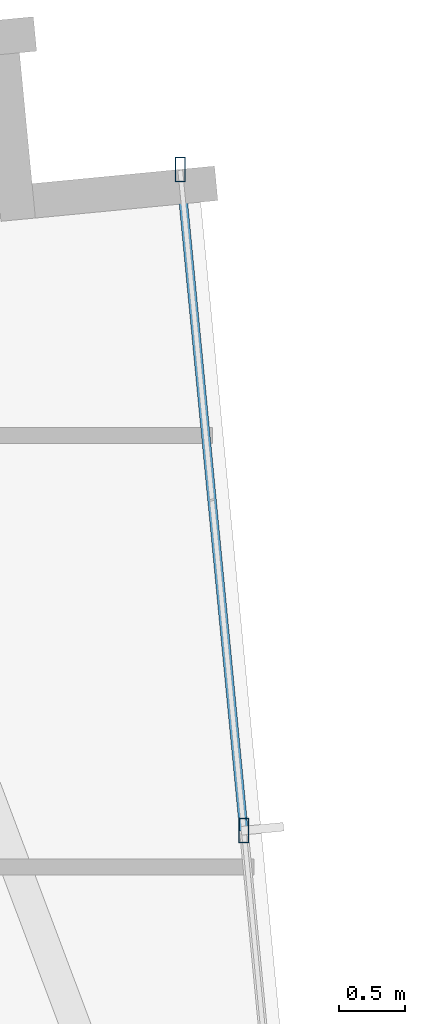
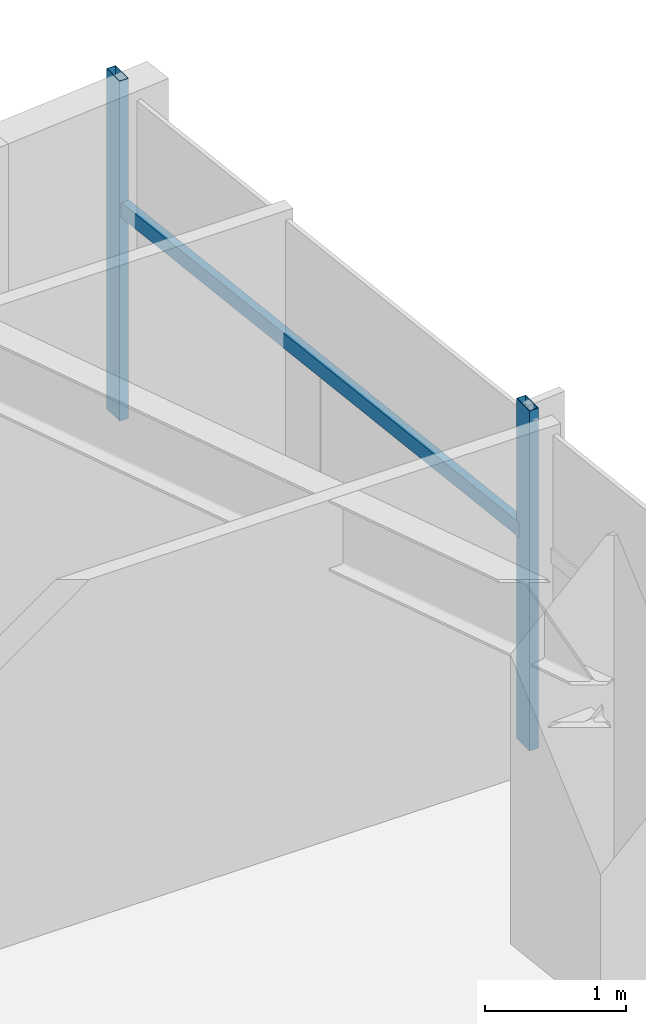
# One storey, part 17 of 25: 3 members, 1 element without a shape of its own.
"""IFC4 building model written with IfcOpenShell, lengths in metres."""

from ifc_helpers import new_model, si_unit, direction, frame, origin, origin_2d, place, context, subcontext, project, spatial, hollow_rectangle, extrude, source, transform, mapped, material, material_profile, profile_set, type_object, type_shapes, element, aggregate, save


model = new_model("IFC4")

# Units and contexts
model_context = context("Model", 3, precision=1e-05, world=origin(), true_north=direction((0.0, 1.0)))
body_context = subcontext(model_context, "Body", "Model", "MODEL_VIEW")
ifc_project = project(units=[si_unit("LENGTHUNIT", "METRE"), si_unit("AREAUNIT", "SQUARE_METRE"), si_unit("VOLUMEUNIT", "CUBIC_METRE"), si_unit("PLANEANGLEUNIT", "RADIAN"), si_unit("MASSUNIT", "GRAM", prefix="KILO")], contexts=[model_context])

# Site, building, storey
site_placement = place(None, origin())
site = spatial("IfcSite", under=ifc_project, at=site_placement, CompositionType="ELEMENT")
building_placement = place(site_placement, origin())
building = spatial("IfcBuilding", under=site, at=building_placement, Name="Astriad Promenade Condominiums", CompositionType="ELEMENT")
storey_placement = place(building_placement, frame((0.0, 0.0, 103.39990234375)))
storey = spatial("IfcBuildingStorey", under=building, at=storey_placement, Name="L29", CompositionType="ELEMENT", Elevation=103.39990234375)

# Curtain wall, members
ifc_material_1 = material(Name="Anodised aluminium Black Dark Glass Unitised", Category="aluminium")
curtain_wall_type = type_object("IfcCurtainWallType", Name="CW-B2-DARK", PredefinedType="USERDEFINED", material=ifc_material_1)
curtain_wall_placement = place(storey_placement, origin())
curtain_wall = element("IfcCurtainWall", 1, at=curtain_wall_placement, inside=storey, type_object=curtain_wall_type, Name="CW-L29-E", ObjectType="UNITISED_CURTAIN_WALL", PredefinedType="USERDEFINED")
ifc_material_2 = material(Name="Anodised aluminium 6063-T6 Black", Category="aluminium")
ifc_material_profile_1 = material_profile(ifc_material_2, hollow_rectangle(XDim=0.074951171875, YDim=0.18505859375, WallThickness=0.00439453125, at=origin_2d()), Name="ALU-MUL-75X185")
ifc_profile_set_1 = profile_set([ifc_material_profile_1], Name="Anodised aluminium 6063-T6 Black")
member_type_1 = type_object("IfcMemberType", Name="MUL-ALU-MUL-75X185", PredefinedType="MULLION", material=ifc_profile_set_1)
shared_shape_1 = source(origin(), body_context, "Body", "SweptSolid", [
    extrude(hollow_rectangle(XDim=0.074951171875, YDim=0.18505859375, WallThickness=0.00439453125, at=origin_2d()), origin(), (0.0, 0.0, 1.0), 2.940185546875),
])
type_shapes(member_type_1, [shared_shape_1])
member_1_placement = place(storey_placement, frame((68.0146484375, 26.609130859375, 0.0), z_axis=(0.0, 0.0, 1.0), x_axis=(1.0, 0.0, 0.0)))
member_1 = element("IfcMember", 2, at=member_1_placement, type_object=member_type_1, Name="CW-L29-E-MUL-00", PredefinedType="MULLION", context=body_context, shape_type="MappedRepresentation", body=[
    mapped(shared_shape_1, transform((0.0, 0.0, 0.0), scale=1.0)),
])
member_2_placement = place(storey_placement, frame((68.493896484375, 21.632080078125, 0.0), z_axis=(0.0, 0.0, 1.0), x_axis=(1.0, 0.0, 0.0)))
member_2 = element("IfcMember", 3, at=member_2_placement, type_object=member_type_1, Name="CW-L29-E-MUL-01", PredefinedType="MULLION", context=body_context, shape_type="MappedRepresentation", body=[
    mapped(shared_shape_1, transform((0.0, 0.0, 0.0), scale=1.0)),
])
ifc_material_profile_2 = material_profile(ifc_material_2, hollow_rectangle(XDim=0.06494140625, YDim=0.1298828125, WallThickness=0.00390625, at=origin_2d()), Name="ALU-TRN-65X130")
ifc_profile_set_2 = profile_set([ifc_material_profile_2], Name="Anodised aluminium 6063-T6 Black")
member_type_2 = type_object("IfcMemberType", Name="TRN-ALU-TRN-65X130", PredefinedType="USERDEFINED", material=ifc_profile_set_2)
shared_shape_2 = source(origin(), body_context, "Body", "SweptSolid", [
    extrude(hollow_rectangle(XDim=0.06494140625, YDim=0.1298828125, WallThickness=0.00390625, at=origin_2d()), origin(), (0.0, 0.0, 1.0), 5.0),
])
type_shapes(member_type_2, [shared_shape_2])
member_3_placement = place(storey_placement, frame((68.0146484375, 26.609130859375, 1.822998046875), z_axis=(0.095848242264, -0.995395958629, 0.0), x_axis=(0.995395958629, 0.095848242264, 0.0)))
member_3 = element("IfcMember", 4, at=member_3_placement, type_object=member_type_2, Name="CW-L29-E-TRN-00-0", ObjectType="TRANSOM", PredefinedType="USERDEFINED", context=body_context, shape_type="MappedRepresentation", body=[
    mapped(shared_shape_2, transform((0.0, 0.0, 0.0), scale=1.0)),
])
aggregate(curtain_wall, [member_1, member_2, member_3])

save(model, "model.ifc")
